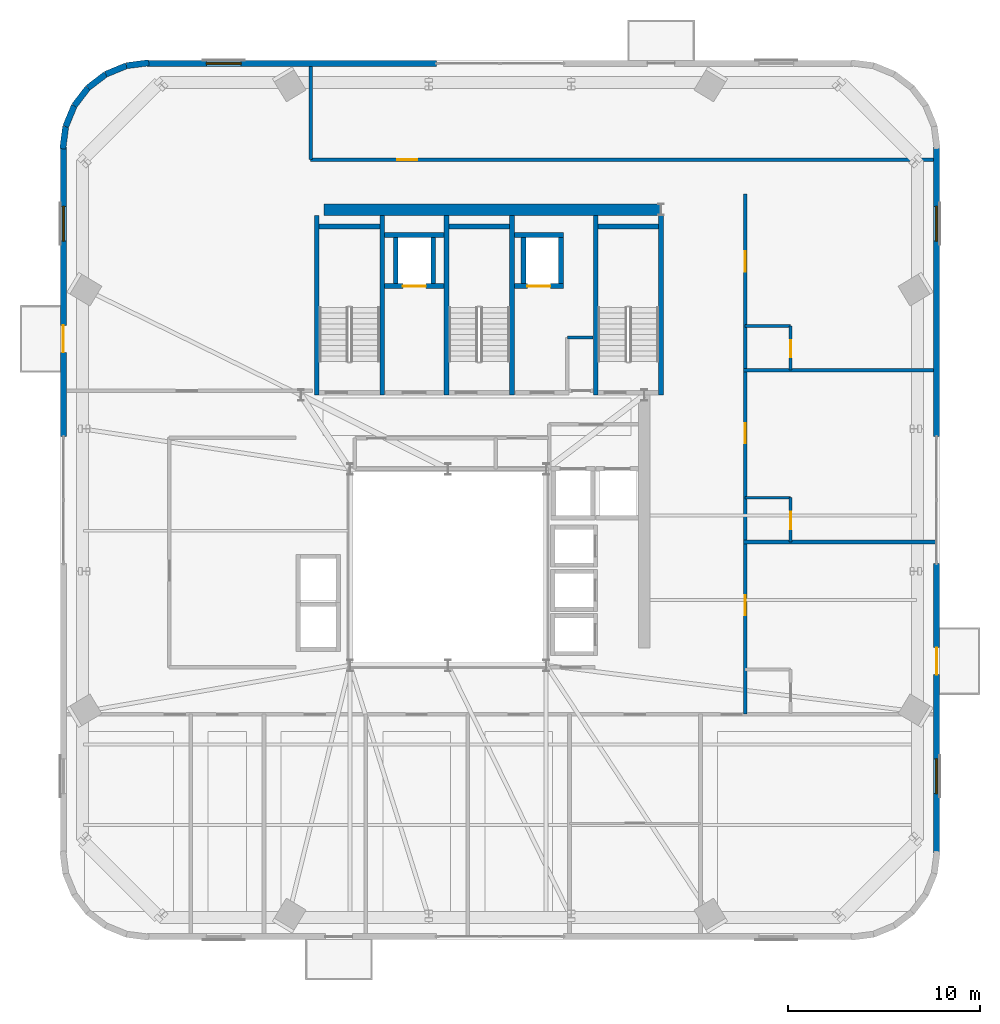
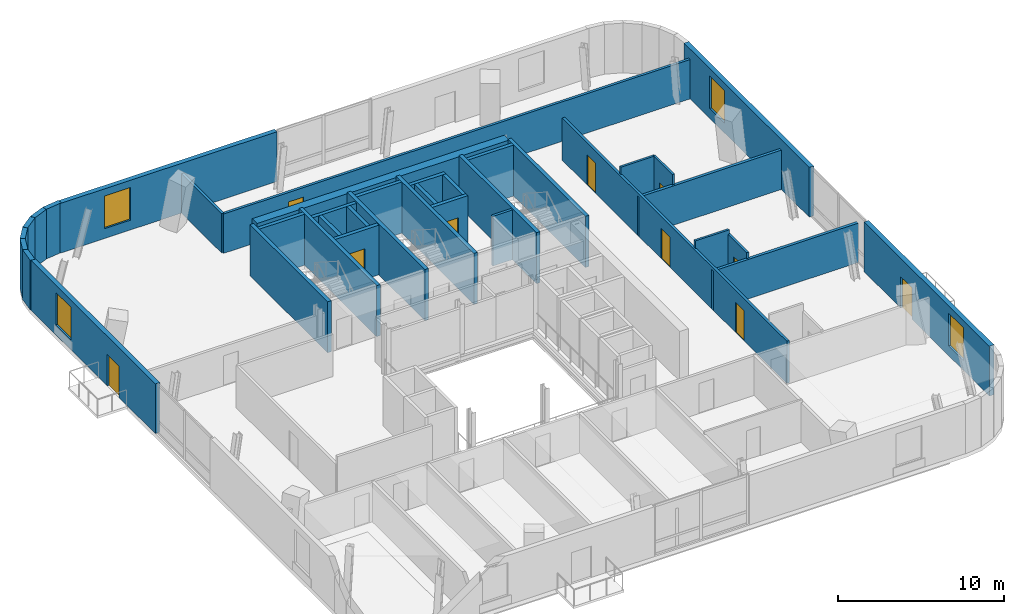
# One storey, part 10 of 15: 38 walls, 10 doors, 4 windows, 14 openings.
"""IFC4 building model written with IfcOpenShell, lengths in metres."""

from ifc_helpers import new_model, si_unit, direction, frame, frame_2d, origin, place, context, subcontext, project, spatial, rectangle, extrude, source, transform, mapped, material, layer, layer_set, type_object, element, fill, save


model = new_model("IFC4")

# Units and contexts
model_context = context("Model", 3, precision=1e-05, world=origin(), true_north=direction((0.0, 1.0)))
body_context = subcontext(model_context, "Body", "Model", "MODEL_VIEW")
ifc_project = project(units=[si_unit("LENGTHUNIT", "METRE"), si_unit("AREAUNIT", "SQUARE_METRE"), si_unit("VOLUMEUNIT", "CUBIC_METRE"), si_unit("PLANEANGLEUNIT", "RADIAN"), si_unit("MASSUNIT", "GRAM", prefix="KILO")], contexts=[model_context])

# Site, building, storey
site_placement = place(None, origin())
site = spatial("IfcSite", under=ifc_project, at=site_placement, CompositionType="ELEMENT")
building_placement = place(site_placement, origin())
building = spatial("IfcBuilding", under=site, at=building_placement, Name="Vardaveli Station Tower", CompositionType="ELEMENT")
storey_placement = place(building_placement, frame((0.0, 0.0, 258.5)))
storey = spatial("IfcBuildingStorey", under=building, at=storey_placement, Name="L66", CompositionType="ELEMENT", Elevation=258.5)

# Walls
ifc_material_1 = material(Name="Concrete C50/60", Category="concrete")
ifc_layer_1 = layer(ifc_material_1, 0.60009765625, Name="Concrete C50/60")
ifc_layer_set_1 = layer_set([ifc_layer_1], Name="Concrete C50/60")
wall_type_1 = type_object("IfcWallType", Name="WAL-CORE-600", PredefinedType="SHEAR", material=ifc_layer_set_1)
shared_shape_1 = source(origin(), body_context, "Body", "SweptSolid", [
    extrude(rectangle(XDim=17.52001953125, YDim=0.60009765625, at=frame_2d((8.760009765625, 0.0))), origin(), (0.0, 0.0, 1.0), 3.64990234375),
])
wall_1_placement = place(storey_placement, frame((29.85009765625, 40.300048828125, 0.0), z_axis=(0.0, 0.0, 1.0), x_axis=(1.0, 0.0, 0.0)))
element("IfcWall", 1, at=wall_1_placement, inside=storey, type_object=wall_type_1, Name="SW-L66-NORTH", PredefinedType="SHEAR", context=body_context, shape_type="MappedRepresentation", body=[
    mapped(shared_shape_1, transform((0.0, 0.0, 0.0), scale=1.0)),
])
ifc_material_2 = material(Name="Precast concrete C45/55", Category="concrete")
ifc_layer_2 = layer(ifc_material_2, 0.320068359375, Name="Precast concrete C45/55")
ifc_layer_set_2 = layer_set([ifc_layer_2], Name="Precast concrete C45/55")
wall_type_2 = type_object("IfcWallType", Name="WAL-EXT-STONE-320", PredefinedType="SOLIDWALL", material=ifc_layer_set_2)
shared_shape_2 = source(origin(), body_context, "Body", "SweptSolid", [
    extrude(rectangle(XDim=1.168701171875, YDim=0.320068359375, at=frame_2d((0.58447265625, 0.0))), origin(), (0.0, 0.0, 1.0), 3.64990234375),
])
for number, where, z_axis, x_axis, name in (
    (2, (18.498779296875, 47.339599609375, 0.0), (0.0, 0.0, 1.0), (-0.793841668028, -0.60812449885, 0.0), "EW-L66-CR4-3"),
    (3, (17.571044921875, 46.62890625, 0.0), (0.0, 0.0, 1.0), (-0.60812449885, -0.793841668028, 0.0), "EW-L66-CR4-4"),
):
    element("IfcWall", number, at=place(storey_placement, frame(where, z_axis=z_axis, x_axis=x_axis)), inside=storey, type_object=wall_type_2, Name=name, PredefinedType="SOLIDWALL", context=body_context, shape_type="MappedRepresentation", body=[
        mapped(shared_shape_2, transform((0.0, 0.0, 0.0), scale=1.0)),
    ])
shared_shape_3 = source(origin(), body_context, "Body", "SweptSolid", [
    extrude(rectangle(XDim=1.170166015625, YDim=0.320068359375, at=frame_2d((0.5849609375, 0.0))), origin(), (0.0, 0.0, 1.0), 3.64990234375),
])
for number, where, z_axis, x_axis, name in (
    (4, (20.740234375, 47.935302734375, 0.0), (0.0, 0.0, 1.0), (-0.991762485493, -0.128090485085, 0.0), "EW-L66-CR4-1"),
    (5, (16.41455078125, 44.620361328125, 0.0), (0.0, 0.0, 1.0), (-0.128090485085, -0.991762485493, 0.0), "EW-L66-CR4-6"),
):
    element("IfcWall", number, at=place(storey_placement, frame(where, z_axis=z_axis, x_axis=x_axis)), inside=storey, type_object=wall_type_2, Name=name, PredefinedType="SOLIDWALL", context=body_context, shape_type="MappedRepresentation", body=[
        mapped(shared_shape_3, transform((0.0, 0.0, 0.0), scale=1.0)),
    ])
shared_shape_4 = source(origin(), body_context, "Body", "SweptSolid", [
    extrude(rectangle(XDim=1.169189453125, YDim=0.320068359375, at=frame_2d((0.58447265625, 0.0))), origin(), (0.0, 0.0, 1.0), 3.64990234375),
])
for number, where, z_axis, x_axis, name in (
    (6, (19.57958984375, 47.785400390625, 0.0), (0.0, 0.0, 1.0), (-0.924448722534, -0.381306385215, 0.0), "EW-L66-CR4-2"),
    (7, (16.8603515625, 45.701171875, 0.0), (0.0, 0.0, 1.0), (-0.381306385215, -0.924448722534, 0.0), "EW-L66-CR4-5"),
):
    element("IfcWall", number, at=place(storey_placement, frame(where, z_axis=z_axis, x_axis=x_axis)), inside=storey, type_object=wall_type_2, Name=name, PredefinedType="SOLIDWALL", context=body_context, shape_type="MappedRepresentation", body=[
        mapped(shared_shape_4, transform((0.0, 0.0, 0.0), scale=1.0)),
    ])

# Wall, opening, window
shared_shape_5 = source(origin(), body_context, "Body", "SweptSolid", [
    extrude(rectangle(XDim=15.06005859375, YDim=0.320068359375, at=frame_2d((7.530029296875, 0.0))), origin(), (0.0, 0.0, 1.0), 3.64990234375),
])
wall_2_placement = place(storey_placement, frame((35.699951171875, 47.89990234375, 0.0), z_axis=(0.0, 0.0, 1.0), x_axis=(-1.0, 0.0, 0.0)))
wall_2 = element("IfcWall", 8, at=wall_2_placement, inside=storey, type_object=wall_type_2, Name="EW-L66-N2", PredefinedType="SOLIDWALL", context=body_context, shape_type="MappedRepresentation", body=[
    mapped(shared_shape_5, transform((0.0, 0.0, 0.0), scale=1.0)),
])
shared_shape_6 = source(origin(), body_context, "Body", "SweptSolid", [
    extrude(rectangle(XDim=1.800048828125, YDim=2.39990234375, at=frame_2d((0.89990234375, 1.199951171875))), frame((0.0, 0.169921875, 0.0), z_axis=(0.0, -1.0, 0.0), x_axis=(1.0, 0.0, 0.0)), (0.0, 0.0, 1.0), 0.340087890625),
])
opening_1_placement = place(wall_2_placement, frame((10.1630859375, 0.0, 0.719970703125)))
opening_1 = element("IfcOpeningElement", 9, at=opening_1_placement, cuts=wall_2, Name="Opening W-05", PredefinedType="OPENING", context=body_context, shape_type="MappedRepresentation", body=[
    mapped(shared_shape_6, transform((0.0, 0.0, 0.0), scale=1.0)),
])
ifc_material_3 = material(Name="Low-E solar-control glass", Category="glass")
window_type = type_object("IfcWindowType", Name="WIN-HIGH-1800x2400", PartitioningType="SINGLE_PANEL", PredefinedType="WINDOW", material=ifc_material_3)
shared_shape_7 = source(origin(), body_context, "Body", "SweptSolid", [
    extrude(rectangle(XDim=1.800048828125, YDim=2.39990234375, at=frame_2d((0.89990234375, 1.199951171875))), frame((0.0, 0.030029296875, 0.0), z_axis=(0.0, -1.0, 0.0), x_axis=(1.0, 0.0, 0.0)), (0.0, 0.0, 1.0), 0.06005859375),
])
window_1_placement = place(opening_1_placement, origin())
window_1 = element("IfcWindow", 10, at=window_1_placement, inside=storey, type_object=window_type, Name="WN-L66-N2", OverallHeight=2.39990234375, OverallWidth=1.800048828125, PartitioningType="SINGLE_PANEL", PredefinedType="WINDOW", context=body_context, shape_type="MappedRepresentation", body=[
    mapped(shared_shape_7, transform((0.0, 0.0, 0.0), scale=1.0)),
])
fill(opening_1, window_1)

# Wall, openings, door, window
wall_3_placement = place(storey_placement, frame((16.300048828125, 43.56005859375, 0.0), z_axis=(0.0, 0.0, 1.0), x_axis=(0.0, -1.0, 0.0)))
wall_3 = element("IfcWall", 11, at=wall_3_placement, inside=storey, type_object=wall_type_2, Name="EW-L66-W1", PredefinedType="SOLIDWALL", context=body_context, shape_type="MappedRepresentation", body=[
    mapped(shared_shape_5, transform((0.0, 0.0, 0.0), scale=1.0)),
])
shared_shape_8 = source(origin(), body_context, "Body", "SweptSolid", [
    extrude(rectangle(XDim=1.39990234375, YDim=2.300048828125, at=frame_2d((0.699951171875, 1.14990234375))), frame((0.0, 0.169921875, 0.0), z_axis=(0.0, -1.0, 0.0), x_axis=(1.0, 0.0, 0.0)), (0.0, 0.0, 1.0), 0.340087890625),
])
opening_2_placement = place(wall_3_placement, frame((9.27783203125, 0.0, 0.0)))
opening_2 = element("IfcOpeningElement", 12, at=opening_2_placement, cuts=wall_3, Name="Opening D-09", PredefinedType="OPENING", context=body_context, shape_type="MappedRepresentation", body=[
    mapped(shared_shape_8, transform((0.0, 0.0, 0.0), scale=1.0)),
])
opening_3_placement = place(wall_3_placement, frame((3.096923828125, 0.0, 0.719970703125)))
opening_3 = element("IfcOpeningElement", 13, at=opening_3_placement, cuts=wall_3, Name="Opening W-05", PredefinedType="OPENING", context=body_context, shape_type="MappedRepresentation", body=[
    mapped(shared_shape_6, transform((0.0, 0.0, 0.0), scale=1.0)),
])
ifc_material_4 = material(Name="Thermally broken aluminium glass", Category="aluminium")
door_type_1 = type_object("IfcDoorType", Name="DR-LOG-1400x2300", OperationType="DOUBLE_DOOR_SLIDING", PredefinedType="DOOR", material=ifc_material_4)
shared_shape_9 = source(origin(), body_context, "Body", "SweptSolid", [
    extrude(rectangle(XDim=1.39990234375, YDim=2.300048828125, at=frame_2d((0.699951171875, 1.14990234375))), frame((0.0, 0.02490234375, 0.0), z_axis=(0.0, -1.0, 0.0), x_axis=(1.0, 0.0, 0.0)), (0.0, 0.0, 1.0), 0.050048828125),
])
door_1_placement = place(opening_2_placement, frame((1.39990234375, 0.0, 0.0), z_axis=(0.0, 0.0, 1.0), x_axis=(-1.0, 0.0, 0.0)))
door_1 = element("IfcDoor", 14, at=door_1_placement, inside=storey, type_object=door_type_1, Name="DLG-L66-W", OperationType="DOUBLE_DOOR_SLIDING", OverallHeight=2.300048828125, OverallWidth=1.39990234375, PredefinedType="DOOR", context=body_context, shape_type="MappedRepresentation", body=[
    mapped(shared_shape_9, transform((0.0, 0.0, 0.0), scale=1.0)),
])
fill(opening_2, door_1)
window_2_placement = place(opening_3_placement, origin())
window_2 = element("IfcWindow", 15, at=window_2_placement, inside=storey, type_object=window_type, Name="WN-L66-W1", OverallHeight=2.39990234375, OverallWidth=1.800048828125, PartitioningType="SINGLE_PANEL", PredefinedType="WINDOW", context=body_context, shape_type="MappedRepresentation", body=[
    mapped(shared_shape_7, transform((0.0, 0.0, 0.0), scale=1.0)),
])
fill(opening_3, window_2)

# Wall, opening, window
wall_4_placement = place(storey_placement, frame((61.699951171875, 28.5, 0.0), z_axis=(0.0, 0.0, 1.0), x_axis=(0.0, 1.0, 0.0)))
wall_4 = element("IfcWall", 16, at=wall_4_placement, inside=storey, type_object=wall_type_2, Name="EW-L66-E2", PredefinedType="SOLIDWALL", context=body_context, shape_type="MappedRepresentation", body=[
    mapped(shared_shape_5, transform((0.0, 0.0, 0.0), scale=1.0)),
])
opening_4_placement = place(wall_4_placement, frame((10.1630859375, 0.0, 0.719970703125)))
opening_4 = element("IfcOpeningElement", 17, at=opening_4_placement, cuts=wall_4, Name="Opening W-05", PredefinedType="OPENING", context=body_context, shape_type="MappedRepresentation", body=[
    mapped(shared_shape_6, transform((0.0, 0.0, 0.0), scale=1.0)),
])
window_3_placement = place(opening_4_placement, origin())
window_3 = element("IfcWindow", 18, at=window_3_placement, inside=storey, type_object=window_type, Name="WN-L66-E2", OverallHeight=2.39990234375, OverallWidth=1.800048828125, PartitioningType="SINGLE_PANEL", PredefinedType="WINDOW", context=body_context, shape_type="MappedRepresentation", body=[
    mapped(shared_shape_7, transform((0.0, 0.0, 0.0), scale=1.0)),
])
fill(opening_4, window_3)

# Wall, openings, door, window
shared_shape_10 = source(origin(), body_context, "Body", "SweptSolid", [
    extrude(rectangle(XDim=15.059814453125, YDim=0.320068359375, at=frame_2d((7.52978515625, 0.0))), origin(), (0.0, 0.0, 1.0), 3.64990234375),
])
wall_5_placement = place(storey_placement, frame((61.699951171875, 6.840087890625, 0.0), z_axis=(0.0, 0.0, 1.0), x_axis=(0.0, 1.0, 0.0)))
wall_5 = element("IfcWall", 19, at=wall_5_placement, inside=storey, type_object=wall_type_2, Name="EW-L66-E1", PredefinedType="SOLIDWALL", context=body_context, shape_type="MappedRepresentation", body=[
    mapped(shared_shape_10, transform((0.0, 0.0, 0.0), scale=1.0)),
])
opening_5_placement = place(wall_5_placement, frame((9.27783203125, 0.0, 0.0)))
opening_5 = element("IfcOpeningElement", 20, at=opening_5_placement, cuts=wall_5, Name="Opening D-09", PredefinedType="OPENING", context=body_context, shape_type="MappedRepresentation", body=[
    mapped(shared_shape_8, transform((0.0, 0.0, 0.0), scale=1.0)),
])
opening_6_placement = place(wall_5_placement, frame((3.096923828125, 0.0, 0.719970703125)))
opening_6 = element("IfcOpeningElement", 21, at=opening_6_placement, cuts=wall_5, Name="Opening W-05", PredefinedType="OPENING", context=body_context, shape_type="MappedRepresentation", body=[
    mapped(shared_shape_6, transform((0.0, 0.0, 0.0), scale=1.0)),
])
door_2_placement = place(opening_5_placement, frame((1.39990234375, 0.0, 0.0), z_axis=(0.0, 0.0, 1.0), x_axis=(-1.0, 0.0, 0.0)))
door_2 = element("IfcDoor", 22, at=door_2_placement, inside=storey, type_object=door_type_1, Name="DLG-L66-E", OperationType="DOUBLE_DOOR_SLIDING", OverallHeight=2.300048828125, OverallWidth=1.39990234375, PredefinedType="DOOR", context=body_context, shape_type="MappedRepresentation", body=[
    mapped(shared_shape_9, transform((0.0, 0.0, 0.0), scale=1.0)),
])
fill(opening_5, door_2)
window_4_placement = place(opening_6_placement, origin())
window_4 = element("IfcWindow", 23, at=window_4_placement, inside=storey, type_object=window_type, Name="WN-L66-E1", OverallHeight=2.39990234375, OverallWidth=1.800048828125, PartitioningType="SINGLE_PANEL", PredefinedType="WINDOW", context=body_context, shape_type="MappedRepresentation", body=[
    mapped(shared_shape_7, transform((0.0, 0.0, 0.0), scale=1.0)),
])
fill(opening_6, window_4)

# Walls
ifc_material_5 = material(Name="Concrete C40/50", Category="concrete")
ifc_layer_3 = layer(ifc_material_5, 0.25, Name="Concrete C40/50")
ifc_layer_set_3 = layer_set([ifc_layer_3], Name="Concrete C40/50")
wall_type_3 = type_object("IfcWallType", Name="WAL-SHAFT-250", PredefinedType="SOLIDWALL", material=ifc_layer_set_3)
shared_shape_11 = source(origin(), body_context, "Body", "SweptSolid", [
    extrude(rectangle(XDim=9.35009765625, YDim=0.25, at=frame_2d((4.675048828125, 0.0))), origin(), (0.0, 0.0, 1.0), 3.75),
])
for number, where, z_axis, x_axis, name in (
    (24, (29.47509765625, 30.64990234375, 0.0), (0.0, 0.0, 1.0), (0.0, 1.0, 0.0), "W-L66-ST-1W"),
    (25, (32.875, 30.64990234375, 0.0), (0.0, 0.0, 1.0), (0.0, 1.0, 0.0), "W-L66-ST-1E"),
    (26, (36.22509765625, 30.64990234375, 0.0), (0.0, 0.0, 1.0), (0.0, 1.0, 0.0), "W-L66-ST-2W"),
    (27, (39.625, 30.64990234375, 0.0), (0.0, 0.0, 1.0), (0.0, 1.0, 0.0), "W-L66-ST-2E"),
    (28, (43.97509765625, 30.64990234375, 0.0), (0.0, 0.0, 1.0), (0.0, 1.0, 0.0), "W-L66-ST-3W"),
    (29, (47.375, 30.64990234375, 0.0), (0.0, 0.0, 1.0), (0.0, 1.0, 0.0), "W-L66-ST-3E"),
):
    element("IfcWall", number, at=place(storey_placement, frame(where, z_axis=z_axis, x_axis=x_axis)), inside=storey, type_object=wall_type_3, Name=name, PredefinedType="SOLIDWALL", context=body_context, shape_type="MappedRepresentation", body=[
        mapped(shared_shape_11, transform((0.0, 0.0, 0.0), scale=1.0)),
    ])
shared_shape_12 = source(origin(), body_context, "Body", "SweptSolid", [
    extrude(rectangle(XDim=3.14990234375, YDim=0.25, at=frame_2d((1.574951171875, 0.0))), origin(), (0.0, 0.0, 1.0), 3.75),
])
for number, where, z_axis, x_axis, name in (
    (30, (29.60009765625, 39.425048828125, 0.0), (0.0, 0.0, 1.0), (1.0, 0.0, 0.0), "W-L66-ST-1N"),
    (31, (36.35009765625, 39.425048828125, 0.0), (0.0, 0.0, 1.0), (1.0, 0.0, 0.0), "W-L66-ST-2N"),
    (32, (44.10009765625, 39.425048828125, 0.0), (0.0, 0.0, 1.0), (1.0, 0.0, 0.0), "W-L66-ST-3N"),
):
    element("IfcWall", number, at=place(storey_placement, frame(where, z_axis=z_axis, x_axis=x_axis)), inside=storey, type_object=wall_type_3, Name=name, PredefinedType="SOLIDWALL", context=body_context, shape_type="MappedRepresentation", body=[
        mapped(shared_shape_12, transform((0.0, 0.0, 0.0), scale=1.0)),
    ])

# Wall, opening, door
shared_shape_13 = source(origin(), body_context, "Body", "SweptSolid", [
    extrude(rectangle(XDim=3.10009765625, YDim=0.25, at=frame_2d((1.550048828125, 0.0))), origin(), (0.0, 0.0, 1.0), 3.64990234375),
])
wall_6_placement = place(storey_placement, frame((33.0, 36.324951171875, 0.0), z_axis=(0.0, 0.0, 1.0), x_axis=(1.0, 0.0, 0.0)))
wall_6 = element("IfcWall", 33, at=wall_6_placement, inside=storey, type_object=wall_type_3, Name="SHW-FFL-01-L66-S", PredefinedType="SOLIDWALL", context=body_context, shape_type="MappedRepresentation", body=[
    mapped(shared_shape_13, transform((0.0, 0.0, 0.0), scale=1.0)),
])
shared_shape_14 = source(origin(), body_context, "Body", "SweptSolid", [
    extrude(rectangle(XDim=1.199951171875, YDim=2.25, at=frame_2d((0.60009765625, 1.125))), frame((0.0, 0.135009765625, 0.0), z_axis=(0.0, -1.0, 0.0), x_axis=(1.0, 0.0, 0.0)), (0.0, 0.0, 1.0), 0.27001953125),
])
opening_7_placement = place(wall_6_placement, frame((0.949951171875, 0.0, 0.0)))
opening_7 = element("IfcOpeningElement", 34, at=opening_7_placement, cuts=wall_6, Name="Opening LD-02", PredefinedType="OPENING", context=body_context, shape_type="MappedRepresentation", body=[
    mapped(shared_shape_14, transform((0.0, 0.0, 0.0), scale=1.0)),
])
ifc_material_6 = material(Name="Brushed stainless steel", Category="steel")
door_type_2 = type_object("IfcDoorType", Name="DR-LD-1200x2250", OperationType="DOUBLE_DOOR_SLIDING", PredefinedType="DOOR", material=ifc_material_6)
shared_shape_15 = source(origin(), body_context, "Body", "SweptSolid", [
    extrude(rectangle(XDim=1.199951171875, YDim=2.25, at=frame_2d((0.60009765625, 1.125))), frame((0.0, 0.02490234375, 0.0), z_axis=(0.0, -1.0, 0.0), x_axis=(1.0, 0.0, 0.0)), (0.0, 0.0, 1.0), 0.050048828125),
])
door_3_placement = place(opening_7_placement, origin())
door_3 = element("IfcDoor", 35, at=door_3_placement, inside=storey, type_object=door_type_2, Name="LD-FFL-01-L66", OperationType="DOUBLE_DOOR_SLIDING", OverallHeight=2.25, OverallWidth=1.199951171875, PredefinedType="DOOR", context=body_context, shape_type="MappedRepresentation", body=[
    mapped(shared_shape_15, transform((0.0, 0.0, 0.0), scale=1.0)),
])
fill(opening_7, door_3)

# Walls
wall_7_placement = place(storey_placement, frame((33.0, 38.97509765625, 0.0), z_axis=(0.0, 0.0, 1.0), x_axis=(1.0, 0.0, 0.0)))
element("IfcWall", 36, at=wall_7_placement, inside=storey, type_object=wall_type_3, Name="SHW-FFL-01-L66-N", PredefinedType="SOLIDWALL", context=body_context, shape_type="MappedRepresentation", body=[
    mapped(shared_shape_13, transform((0.0, 0.0, 0.0), scale=1.0)),
])
shared_shape_16 = source(origin(), body_context, "Body", "SweptSolid", [
    extrude(rectangle(XDim=2.400146484375, YDim=0.25, at=frame_2d((1.2001953125, 0.0))), origin(), (0.0, 0.0, 1.0), 3.64990234375),
])
for number, where, z_axis, x_axis, name in (
    (37, (33.574951171875, 36.449951171875, 0.0), (0.0, 0.0, 1.0), (0.0, 1.0, 0.0), "SHW-FFL-01-L66-W"),
    (38, (35.52490234375, 36.449951171875, 0.0), (0.0, 0.0, 1.0), (0.0, 1.0, 0.0), "SHW-FFL-01-L66-E"),
    (39, (40.22509765625, 36.449951171875, 0.0), (0.0, 0.0, 1.0), (0.0, 1.0, 0.0), "SHW-FFL-02-L66-W"),
    (40, (42.175048828125, 36.449951171875, 0.0), (0.0, 0.0, 1.0), (0.0, 1.0, 0.0), "SHW-FFL-02-L66-E"),
):
    element("IfcWall", number, at=place(storey_placement, frame(where, z_axis=z_axis, x_axis=x_axis)), inside=storey, type_object=wall_type_3, Name=name, PredefinedType="SOLIDWALL", context=body_context, shape_type="MappedRepresentation", body=[
        mapped(shared_shape_16, transform((0.0, 0.0, 0.0), scale=1.0)),
    ])

# Wall, opening, door
shared_shape_17 = source(origin(), body_context, "Body", "SweptSolid", [
    extrude(rectangle(XDim=2.550048828125, YDim=0.25, at=frame_2d((1.27490234375, 0.0))), origin(), (0.0, 0.0, 1.0), 3.64990234375),
])
wall_8_placement = place(storey_placement, frame((39.75, 36.324951171875, 0.0), z_axis=(0.0, 0.0, 1.0), x_axis=(1.0, 0.0, 0.0)))
wall_8 = element("IfcWall", 41, at=wall_8_placement, inside=storey, type_object=wall_type_3, Name="SHW-FFL-02-L66-S", PredefinedType="SOLIDWALL", context=body_context, shape_type="MappedRepresentation", body=[
    mapped(shared_shape_17, transform((0.0, 0.0, 0.0), scale=1.0)),
])
opening_8_placement = place(wall_8_placement, frame((0.675048828125, 0.0, 0.0)))
opening_8 = element("IfcOpeningElement", 42, at=opening_8_placement, cuts=wall_8, Name="Opening LD-02", PredefinedType="OPENING", context=body_context, shape_type="MappedRepresentation", body=[
    mapped(shared_shape_14, transform((0.0, 0.0, 0.0), scale=1.0)),
])
door_4_placement = place(opening_8_placement, origin())
door_4 = element("IfcDoor", 43, at=door_4_placement, inside=storey, type_object=door_type_2, Name="LD-FFL-02-L66", OperationType="DOUBLE_DOOR_SLIDING", OverallHeight=2.25, OverallWidth=1.199951171875, PredefinedType="DOOR", context=body_context, shape_type="MappedRepresentation", body=[
    mapped(shared_shape_15, transform((0.0, 0.0, 0.0), scale=1.0)),
])
fill(opening_8, door_4)

# Walls
wall_9_placement = place(storey_placement, frame((39.75, 38.97509765625, 0.0), z_axis=(0.0, 0.0, 1.0), x_axis=(1.0, 0.0, 0.0)))
element("IfcWall", 44, at=wall_9_placement, inside=storey, type_object=wall_type_3, Name="SHW-FFL-02-L66-N", PredefinedType="SOLIDWALL", context=body_context, shape_type="MappedRepresentation", body=[
    mapped(shared_shape_17, transform((0.0, 0.0, 0.0), scale=1.0)),
])
ifc_material_7 = material(Name="Moisture-resistant stud partition")
ifc_layer_4 = layer(ifc_material_7, 0.14990234375, Name="Moisture-resistant stud partition")
ifc_layer_set_4 = layer_set([ifc_layer_4], Name="Moisture-resistant stud partition")
wall_type_4 = type_object("IfcWallType", Name="WAL-WET-150", PredefinedType="PARTITIONING", material=ifc_layer_set_4)
shared_shape_18 = source(origin(), body_context, "Body", "SweptSolid", [
    extrude(rectangle(XDim=2.360107421875, YDim=0.14990234375, at=frame_2d((1.18017578125, 0.0))), origin(), (0.0, 0.0, 1.0), 3.64990234375),
])
for number, where, z_axis, x_axis, name in (
    (45, (51.75, 25.31689453125, 0.0), (0.0, 0.0, 1.0), (1.0, 0.0, 0.0), "W-L66-BE2-N"),
    (46, (51.75, 34.2529296875, 0.0), (0.0, 0.0, 1.0), (1.0, 0.0, 0.0), "W-L66-BE3-N"),
):
    element("IfcWall", number, at=place(storey_placement, frame(where, z_axis=z_axis, x_axis=x_axis)), inside=storey, type_object=wall_type_4, Name=name, PredefinedType="PARTITIONING", context=body_context, shape_type="MappedRepresentation", body=[
        mapped(shared_shape_18, transform((0.0, 0.0, 0.0), scale=1.0)),
    ])
ifc_material_8 = material(Name="Fire-rated gypsum stud partition")
ifc_layer_5 = layer(ifc_material_8, 0.179931640625, Name="Fire-rated gypsum stud partition")
ifc_layer_set_5 = layer_set([ifc_layer_5], Name="Fire-rated gypsum stud partition")
wall_type_5 = type_object("IfcWallType", Name="WAL-CORR-180", PredefinedType="PARTITIONING", material=ifc_layer_set_5)
shared_shape_19 = source(origin(), body_context, "Body", "SweptSolid", [
    extrude(rectangle(XDim=1.347900390625, YDim=0.179931640625, at=frame_2d((0.673828125, 0.0))), origin(), (0.0, 0.0, 1.0), 3.64990234375),
])
wall_10_placement = place(storey_placement, frame((42.5, 33.64990234375, 0.0), z_axis=(0.0, 0.0, 1.0), x_axis=(1.0, 0.0, 0.0)))
element("IfcWall", 47, at=wall_10_placement, inside=storey, type_object=wall_type_5, Name="W-L66-CBS0-N", PredefinedType="PARTITIONING", context=body_context, shape_type="MappedRepresentation", body=[
    mapped(shared_shape_19, transform((0.0, 0.0, 0.0), scale=1.0)),
])

# Wall, opening, door
shared_shape_20 = source(origin(), body_context, "Body", "SweptSolid", [
    extrude(rectangle(XDim=32.38818359375, YDim=0.179931640625, at=frame_2d((16.194091796875, 0.0))), origin(), (0.0, 0.0, 1.0), 2.89208984375),
])
wall_11_placement = place(storey_placement, frame((29.14990234375, 42.89990234375, 0.0), z_axis=(0.0, 0.0, 1.0), x_axis=(1.0, 0.0, 0.0)))
wall_11 = element("IfcWall", 48, at=wall_11_placement, inside=storey, type_object=wall_type_5, Name="W-L66-NPS", PredefinedType="PARTITIONING", context=body_context, shape_type="MappedRepresentation", body=[
    mapped(shared_shape_20, transform((0.0, 0.0, 0.0), scale=1.0)),
])
shared_shape_21 = source(origin(), body_context, "Body", "SweptSolid", [
    extrude(rectangle(XDim=1.050048828125, YDim=2.199951171875, at=frame_2d((0.52490234375, 1.10009765625))), frame((0.0, 0.10009765625, 0.0), z_axis=(0.0, -1.0, 0.0), x_axis=(1.0, 0.0, 0.0)), (0.0, 0.0, 1.0), 0.199951171875),
])
opening_9_placement = place(wall_11_placement, frame((4.5, 0.0, 0.0)))
opening_9 = element("IfcOpeningElement", 49, at=opening_9_placement, cuts=wall_11, Name="Opening D-05", PredefinedType="OPENING", context=body_context, shape_type="MappedRepresentation", body=[
    mapped(shared_shape_21, transform((0.0, 0.0, 0.0), scale=1.0)),
])
ifc_material_9 = material(Name="Walnut veneer acoustic fire door")
door_type_3 = type_object("IfcDoorType", Name="DR-SUITE-1050x2200", OperationType="NOTDEFINED", PredefinedType="DOOR", material=ifc_material_9)
shared_shape_22 = source(origin(), body_context, "Body", "SweptSolid", [
    extrude(rectangle(XDim=1.050048828125, YDim=2.199951171875, at=frame_2d((0.52490234375, 1.10009765625))), frame((0.0, 0.02490234375, 0.0), z_axis=(0.0, -1.0, 0.0), x_axis=(1.0, 0.0, 0.0)), (0.0, 0.0, 1.0), 0.050048828125),
])
door_5_placement = place(opening_9_placement, origin())
door_5 = element("IfcDoor", 50, at=door_5_placement, inside=storey, type_object=door_type_3, Name="D-L66-NP1", OperationType="SINGLE_SWING_LEFT", OverallHeight=2.199951171875, OverallWidth=1.050048828125, PredefinedType="DOOR", context=body_context, shape_type="MappedRepresentation", body=[
    mapped(shared_shape_22, transform((0.0, 0.0, 0.0), scale=1.0)),
])
fill(opening_9, door_5)

# Wall, openings, doors
shared_shape_23 = source(origin(), body_context, "Body", "SweptSolid", [
    extrude(rectangle(XDim=27.030029296875, YDim=0.179931640625, at=frame_2d((13.51513671875, 0.0))), origin(), (0.0, 0.0, 1.0), 3.092041015625),
])
wall_12_placement = place(storey_placement, frame((51.75, 14.070068359375, 0.0), z_axis=(0.0, 0.0, 1.0), x_axis=(0.0, 1.0, 0.0)))
wall_12 = element("IfcWall", 51, at=wall_12_placement, inside=storey, type_object=wall_type_5, Name="W-L66-CE", PredefinedType="PARTITIONING", context=body_context, shape_type="MappedRepresentation", body=[
    mapped(shared_shape_23, transform((0.0, 0.0, 0.0), scale=1.0)),
])
opening_10_placement = place(wall_12_placement, frame((5.13330078125, 0.0, 0.0)))
opening_10 = element("IfcOpeningElement", 52, at=opening_10_placement, cuts=wall_12, Name="Opening D-05", PredefinedType="OPENING", context=body_context, shape_type="MappedRepresentation", body=[
    mapped(shared_shape_21, transform((0.0, 0.0, 0.0), scale=1.0)),
])
opening_11_placement = place(wall_12_placement, frame((14.070068359375, 0.0, 0.0)))
opening_11 = element("IfcOpeningElement", 53, at=opening_11_placement, cuts=wall_12, Name="Opening D-05", PredefinedType="OPENING", context=body_context, shape_type="MappedRepresentation", body=[
    mapped(shared_shape_21, transform((0.0, 0.0, 0.0), scale=1.0)),
])
opening_12_placement = place(wall_12_placement, frame((23.006591796875, 0.0, 0.0)))
opening_12 = element("IfcOpeningElement", 54, at=opening_12_placement, cuts=wall_12, Name="Opening D-05", PredefinedType="OPENING", context=body_context, shape_type="MappedRepresentation", body=[
    mapped(shared_shape_21, transform((0.0, 0.0, 0.0), scale=1.0)),
])
door_6_placement = place(opening_10_placement, origin())
door_6 = element("IfcDoor", 55, at=door_6_placement, inside=storey, type_object=door_type_3, Name="D-L66-GE1", OperationType="SINGLE_SWING_RIGHT", OverallHeight=2.199951171875, OverallWidth=1.050048828125, PredefinedType="DOOR", context=body_context, shape_type="MappedRepresentation", body=[
    mapped(shared_shape_22, transform((0.0, 0.0, 0.0), scale=1.0)),
])
fill(opening_10, door_6)
door_7_placement = place(opening_11_placement, origin())
door_7 = element("IfcDoor", 56, at=door_7_placement, inside=storey, type_object=door_type_3, Name="D-L66-GE2", OperationType="SINGLE_SWING_LEFT", OverallHeight=2.199951171875, OverallWidth=1.050048828125, PredefinedType="DOOR", context=body_context, shape_type="MappedRepresentation", body=[
    mapped(shared_shape_22, transform((0.0, 0.0, 0.0), scale=1.0)),
])
fill(opening_11, door_7)
door_8_placement = place(opening_12_placement, origin())
door_8 = element("IfcDoor", 57, at=door_8_placement, inside=storey, type_object=door_type_3, Name="D-L66-GE3", OperationType="SINGLE_SWING_RIGHT", OverallHeight=2.199951171875, OverallWidth=1.050048828125, PredefinedType="DOOR", context=body_context, shape_type="MappedRepresentation", body=[
    mapped(shared_shape_22, transform((0.0, 0.0, 0.0), scale=1.0)),
])
fill(opening_12, door_8)

# Wall, opening, door
shared_shape_24 = source(origin(), body_context, "Body", "SweptSolid", [
    extrude(rectangle(XDim=2.289794921875, YDim=0.14990234375, at=frame_2d((1.14501953125, 0.0))), origin(), (0.0, 0.0, 1.0), 3.342041015625),
])
wall_13_placement = place(storey_placement, frame((54.110107421875, 23.027099609375, 0.0), z_axis=(0.0, 0.0, 1.0), x_axis=(0.0, 1.0, 0.0)))
wall_13 = element("IfcWall", 58, at=wall_13_placement, inside=storey, type_object=wall_type_4, Name="W-L66-BE2-E", PredefinedType="PARTITIONING", context=body_context, shape_type="MappedRepresentation", body=[
    mapped(shared_shape_24, transform((0.0, 0.0, 0.0), scale=1.0)),
])
shared_shape_25 = source(origin(), body_context, "Body", "SweptSolid", [
    extrude(rectangle(XDim=0.89990234375, YDim=2.10009765625, at=frame_2d((0.449951171875, 1.050048828125))), frame((0.0, 0.0849609375, 0.0), z_axis=(0.0, -1.0, 0.0), x_axis=(1.0, 0.0, 0.0)), (0.0, 0.0, 1.0), 0.169921875),
])
opening_13_placement = place(wall_13_placement, frame((0.64990234375, 0.0, 0.0)))
opening_13 = element("IfcOpeningElement", 59, at=opening_13_placement, cuts=wall_13, Name="Opening D-08", PredefinedType="OPENING", context=body_context, shape_type="MappedRepresentation", body=[
    mapped(shared_shape_25, transform((0.0, 0.0, 0.0), scale=1.0)),
])
ifc_material_10 = material(Name="Moisture-resistant oak door")
door_type_4 = type_object("IfcDoorType", Name="DR-BATH-900x2100", OperationType="NOTDEFINED", PredefinedType="DOOR", material=ifc_material_10)
shared_shape_26 = source(origin(), body_context, "Body", "SweptSolid", [
    extrude(rectangle(XDim=0.89990234375, YDim=2.10009765625, at=frame_2d((0.449951171875, 1.050048828125))), frame((0.0, 0.02490234375, 0.0), z_axis=(0.0, -1.0, 0.0), x_axis=(1.0, 0.0, 0.0)), (0.0, 0.0, 1.0), 0.050048828125),
])
door_9_placement = place(opening_13_placement, origin())
door_9 = element("IfcDoor", 60, at=door_9_placement, inside=storey, type_object=door_type_4, Name="D-L66-BE2", OperationType="SINGLE_SWING_LEFT", OverallHeight=2.10009765625, OverallWidth=0.89990234375, PredefinedType="DOOR", context=body_context, shape_type="MappedRepresentation", body=[
    mapped(shared_shape_26, transform((0.0, 0.0, 0.0), scale=1.0)),
])
fill(opening_13, door_9)

shared_shape_27 = source(origin(), body_context, "Body", "SweptSolid", [
    extrude(rectangle(XDim=2.2900390625, YDim=0.14990234375, at=frame_2d((1.14501953125, 0.0))), origin(), (0.0, 0.0, 1.0), 3.64990234375),
])
wall_14_placement = place(storey_placement, frame((54.110107421875, 31.962890625, 0.0), z_axis=(0.0, 0.0, 1.0), x_axis=(0.0, 1.0, 0.0)))
wall_14 = element("IfcWall", 61, at=wall_14_placement, inside=storey, type_object=wall_type_4, Name="W-L66-BE3-E", PredefinedType="PARTITIONING", context=body_context, shape_type="MappedRepresentation", body=[
    mapped(shared_shape_27, transform((0.0, 0.0, 0.0), scale=1.0)),
])
opening_14_placement = place(wall_14_placement, frame((0.64990234375, 0.0, 0.0)))
opening_14 = element("IfcOpeningElement", 62, at=opening_14_placement, cuts=wall_14, Name="Opening D-08", PredefinedType="OPENING", context=body_context, shape_type="MappedRepresentation", body=[
    mapped(shared_shape_25, transform((0.0, 0.0, 0.0), scale=1.0)),
])
door_10_placement = place(opening_14_placement, origin())
door_10 = element("IfcDoor", 63, at=door_10_placement, inside=storey, type_object=door_type_4, Name="D-L66-BE3", OperationType="SINGLE_SWING_RIGHT", OverallHeight=2.10009765625, OverallWidth=0.89990234375, PredefinedType="DOOR", context=body_context, shape_type="MappedRepresentation", body=[
    mapped(shared_shape_26, transform((0.0, 0.0, 0.0), scale=1.0)),
])
fill(opening_14, door_10)

# Walls
ifc_material_11 = material(Name="Acoustic twin-stud gypsum partition")
ifc_layer_6 = layer(ifc_material_11, 0.199951171875, Name="Acoustic twin-stud gypsum partition")
ifc_layer_set_6 = layer_set([ifc_layer_6], Name="Acoustic twin-stud gypsum partition")
wall_type_6 = type_object("IfcWallType", Name="WAL-PARTY-200", PredefinedType="PARTITIONING", material=ifc_layer_set_6)
shared_shape_28 = source(origin(), body_context, "Body", "SweptSolid", [
    extrude(rectangle(XDim=10.080078125, YDim=0.199951171875, at=frame_2d((5.0400390625, 0.0))), origin(), (0.0, 0.0, 1.0), 2.89208984375),
])
wall_15_placement = place(storey_placement, frame((51.64990234375, 23.007080078125, 0.0), z_axis=(0.0, 0.0, 1.0), x_axis=(1.0, 0.0, 0.0)))
element("IfcWall", 64, at=wall_15_placement, inside=storey, type_object=wall_type_6, Name="W-L66-PE1", PredefinedType="PARTITIONING", context=body_context, shape_type="MappedRepresentation", body=[
    mapped(shared_shape_28, transform((0.0, 0.0, 0.0), scale=1.0)),
])
shared_shape_29 = source(origin(), body_context, "Body", "SweptSolid", [
    extrude(rectangle(XDim=9.88818359375, YDim=0.199951171875, at=frame_2d((4.944091796875, 0.0))), origin(), (0.0, 0.0, 1.0), 2.89208984375),
])
wall_16_placement = place(storey_placement, frame((51.64990234375, 31.943115234375, 0.0), z_axis=(0.0, 0.0, 1.0), x_axis=(1.0, 0.0, 0.0)))
element("IfcWall", 65, at=wall_16_placement, inside=storey, type_object=wall_type_6, Name="W-L66-PE2", PredefinedType="PARTITIONING", context=body_context, shape_type="MappedRepresentation", body=[
    mapped(shared_shape_29, transform((0.0, 0.0, 0.0), scale=1.0)),
])
shared_shape_30 = source(origin(), body_context, "Body", "SweptSolid", [
    extrude(rectangle(XDim=4.838134765625, YDim=0.179931640625, at=frame_2d((2.4189453125, 0.0))), origin(), (0.0, 0.0, 1.0), 2.89208984375),
])
wall_17_placement = place(storey_placement, frame((29.14990234375, 42.89990234375, 0.0), z_axis=(0.0, 0.0, 1.0), x_axis=(0.0, 1.0, 0.0)))
element("IfcWall", 66, at=wall_17_placement, inside=storey, type_object=wall_type_5, Name="W-L66-NPW", PredefinedType="PARTITIONING", context=body_context, shape_type="MappedRepresentation", body=[
    mapped(shared_shape_30, transform((0.0, 0.0, 0.0), scale=1.0)),
])

save(model, "model.ifc")
